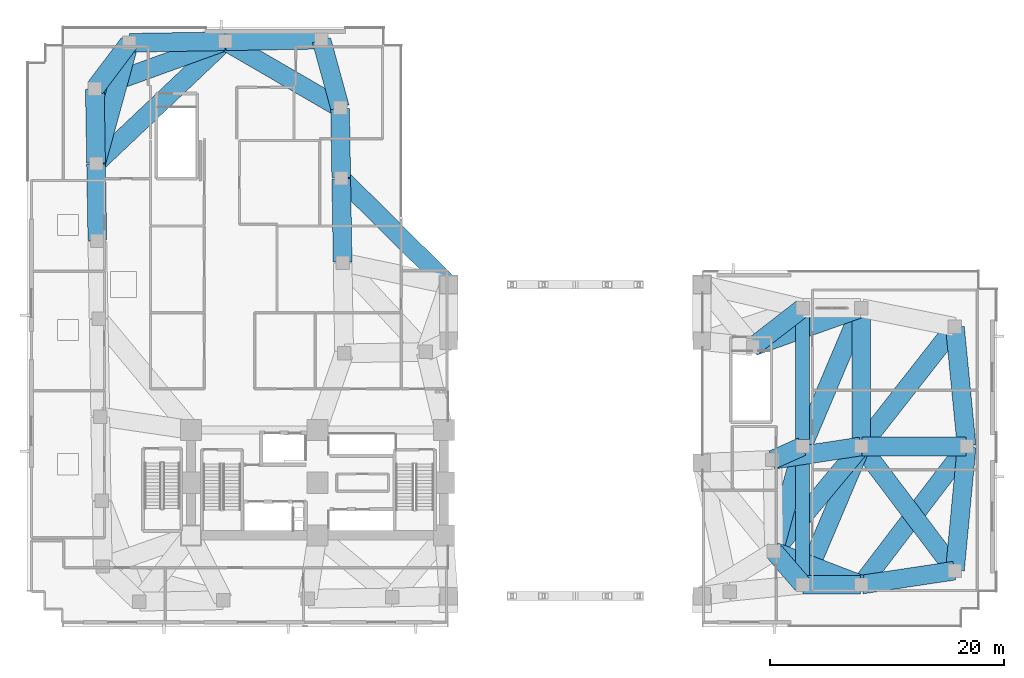
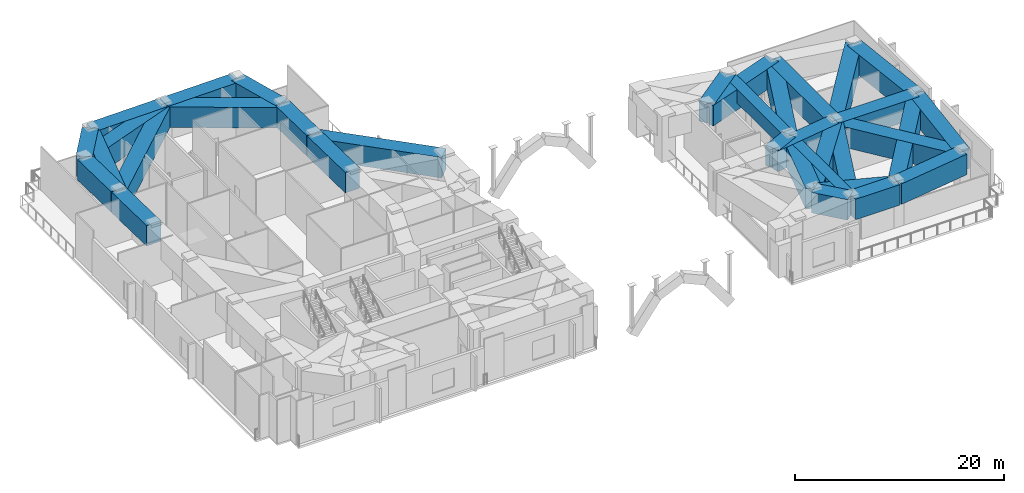
# One storey, part 3 of 15: 34 beams.
"""IFC4 building model written with IfcOpenShell, lengths in metres."""

from ifc_helpers import new_model, si_unit, direction, frame, origin, origin_2d, place, context, subcontext, project, spatial, rectangle, extrude, material, material_profile, profile_set, type_object, element, save


model = new_model("IFC4")

# Units and contexts
model_context = context("Model", 3, precision=1e-05, world=origin(), true_north=direction((0.0, 1.0)))
body_context = subcontext(model_context, "Body", "Model", "MODEL_VIEW")
ifc_project = project(units=[si_unit("LENGTHUNIT", "METRE"), si_unit("AREAUNIT", "SQUARE_METRE"), si_unit("VOLUMEUNIT", "CUBIC_METRE"), si_unit("PLANEANGLEUNIT", "RADIAN"), si_unit("MASSUNIT", "GRAM", prefix="KILO")], contexts=[model_context])

# Site, building, storey
site_placement = place(None, origin())
site = spatial("IfcSite", under=ifc_project, at=site_placement, CompositionType="ELEMENT")
building_placement = place(site_placement, origin())
building = spatial("IfcBuilding", under=site, at=building_placement, Name="Gaonmaruhae Medical Tower", CompositionType="ELEMENT")
storey_placement = place(building_placement, frame((0.0, 0.0, 21.60009765625)))
storey = spatial("IfcBuildingStorey", under=building, at=storey_placement, Name="L04", CompositionType="ELEMENT", Elevation=21.60009765625)

# Beams
ifc_material_1 = material(Name="Concrete C60/75", Category="concrete")
ifc_material_profile_1 = material_profile(ifc_material_1, rectangle(XDim=1.60009765625, YDim=2.39990234375, at=origin_2d()), Name="TG-1600x2400")
ifc_profile_set_1 = profile_set([ifc_material_profile_1], Name="Concrete C60/75")
beam_type_1 = type_object("IfcBeamType", Name="TG-01I Portal Arch Interior Transfer Girder (TG-1600x2400)", PredefinedType="BEAM", material=ifc_profile_set_1)
beam_1_placement = place(storey_placement, frame((63.791015625, 6.409423828125, 3.89990234375), z_axis=(0.650934547186, -0.759133858604, 0.0), x_axis=(0.759133858604, 0.650934547186, 0.0)))
element("IfcBeam", 1, at=beam_1_placement, inside=storey, type_object=beam_type_1, Name="L04 Beam BM-L04-PG025", PredefinedType="BEAM", context=body_context, shape_type="SweptSolid", body=[
    extrude(rectangle(XDim=1.60009765625, YDim=2.39990234375, at=origin_2d()), origin(), (0.0, 0.0, 1.0), 3.65087890625),
])
beam_2_placement = place(storey_placement, frame((63.6748046875, 14.266845703125, 3.89990234375), z_axis=(0.912331175538, 0.409453081735, 0.0), x_axis=(-0.409453081735, 0.912331175538, 0.0)))
element("IfcBeam", 2, at=beam_2_placement, inside=storey, type_object=beam_type_1, Name="L04 Beam BM-L04-PG027", PredefinedType="BEAM", context=body_context, shape_type="SweptSolid", body=[
    extrude(rectangle(XDim=1.60009765625, YDim=2.39990234375, at=origin_2d()), origin(), (0.0, 0.0, 1.0), 2.7177734375),
])
beam_3_placement = place(storey_placement, frame((63.678466796875, 14.25390625, 3.89990234375), z_axis=(0.988587276062, 0.150649253596, 0.0), x_axis=(-0.150649253596, 0.988587276062, 0.0)))
element("IfcBeam", 3, at=beam_3_placement, inside=storey, type_object=beam_type_1, Name="L04 Beam BM-L04-PG028", PredefinedType="BEAM", context=body_context, shape_type="SweptSolid", body=[
    extrude(rectangle(XDim=1.60009765625, YDim=2.39990234375, at=origin_2d()), origin(), (0.0, 0.0, 1.0), 7.558349609375),
])
beam_4_placement = place(storey_placement, frame((62.008056640625, 23.950927734375, 3.89990234375), z_axis=(0.790374549581, 0.612623923279, 0.0), x_axis=(-0.612623923279, 0.790374549581, 0.0)))
element("IfcBeam", 4, at=beam_4_placement, inside=storey, type_object=beam_type_1, Name="L04 Beam BM-L04-PG029", PredefinedType="BEAM", context=body_context, shape_type="SweptSolid", body=[
    extrude(rectangle(XDim=1.60009765625, YDim=2.39990234375, at=origin_2d()), origin(), (0.0, 0.0, 1.0), 5.253662109375),
])
beam_5_placement = place(storey_placement, frame((62.015625, 23.93701171875, 3.89990234375), z_axis=(0.942294313395, 0.334785643275, 0.0), x_axis=(-0.334785643275, 0.942294313395, 0.0)))
element("IfcBeam", 5, at=beam_5_placement, inside=storey, type_object=beam_type_1, Name="L04 Beam BM-L04-PG030", PredefinedType="BEAM", context=body_context, shape_type="SweptSolid", body=[
    extrude(rectangle(XDim=1.60009765625, YDim=2.39990234375, at=origin_2d()), origin(), (0.0, 0.0, 1.0), 9.69677734375),
])
beam_6_placement = place(storey_placement, frame((26.944091796875, 31.140380859375, 3.89990234375), z_axis=(-0.016608204893, 0.999862074253, 0.0), x_axis=(-0.999862074253, -0.016608204893, 0.0)))
element("IfcBeam", 6, at=beam_6_placement, inside=storey, type_object=beam_type_1, Name="L04 Beam BM-L04-PG035", PredefinedType="BEAM", context=body_context, shape_type="SweptSolid", body=[
    extrude(rectangle(XDim=1.60009765625, YDim=2.39990234375, at=origin_2d()), origin(), (0.0, 0.0, 1.0), 7.10009765625),
])
beam_7_placement = place(storey_placement, frame((26.824462890625, 38.339599609375, 3.89990234375), z_axis=(-0.016551967997, 0.999863006794, 0.0), x_axis=(-0.999863006794, -0.016551967997, 0.0)))
element("IfcBeam", 7, at=beam_7_placement, inside=storey, type_object=beam_type_1, Name="L04 Beam BM-L04-PG037", PredefinedType="BEAM", context=body_context, shape_type="SweptSolid", body=[
    extrude(rectangle(XDim=1.60009765625, YDim=2.39990234375, at=origin_2d()), origin(), (0.0, 0.0, 1.0), 5.89990234375),
])
beam_8_placement = place(storey_placement, frame((26.86083984375, 38.25439453125, 3.89990234375), z_axis=(0.710394933366, -0.703803267005, 0.0), x_axis=(0.703803267005, 0.710394933366, 0.0)))
element("IfcBeam", 8, at=beam_8_placement, inside=storey, type_object=beam_type_1, Name="L04 Beam BM-L04-PG038", PredefinedType="BEAM", context=body_context, shape_type="SweptSolid", body=[
    extrude(rectangle(XDim=1.60009765625, YDim=2.39990234375, at=origin_2d()), origin(), (0.0, 0.0, 1.0), 12.815185546875),
])
beam_9_placement = place(storey_placement, frame((26.712646484375, 44.3369140625, 3.89990234375), z_axis=(-0.264400662099, 0.964412924987, 0.0), x_axis=(-0.964412924987, -0.264400662099, 0.0)))
element("IfcBeam", 9, at=beam_9_placement, inside=storey, type_object=beam_type_1, Name="L04 Beam BM-L04-PG039", PredefinedType="BEAM", context=body_context, shape_type="SweptSolid", body=[
    extrude(rectangle(XDim=1.60009765625, YDim=2.39990234375, at=origin_2d()), origin(), (0.0, 0.0, 1.0), 5.939208984375),
])
beam_10_placement = place(storey_placement, frame((26.6826171875, 44.313720703125, 3.89990234375), z_axis=(-0.864761531189, 0.502182729865, 0.0), x_axis=(-0.502182729865, -0.864761531189, 0.0)))
element("IfcBeam", 10, at=beam_10_placement, inside=storey, type_object=beam_type_1, Name="L04 Beam BM-L04-PG040", PredefinedType="BEAM", context=body_context, shape_type="SweptSolid", body=[
    extrude(rectangle(XDim=1.60009765625, YDim=2.39990234375, at=origin_2d()), origin(), (0.0, 0.0, 1.0), 11.227294921875),
])
for number, where, z_axis, x_axis, name in (
    (11, (25.0791015625, 50.112060546875, 3.89990234375), (-0.999863083435, -0.016547337678, 0.0), (0.016547337678, -0.999863083435, 0.0), "L04 Beam BM-L04-PG041"),
    (12, (16.88037109375, 49.976318359375, 3.89990234375), (-0.999862584298, -0.016577470273, 0.0), (0.016577470273, -0.999862584298, 0.0), "L04 Beam BM-L04-PG042"),
):
    element("IfcBeam", number, at=place(storey_placement, frame(where, z_axis=z_axis, x_axis=x_axis)), inside=storey, type_object=beam_type_1, Name=name, PredefinedType="BEAM", context=body_context, shape_type="SweptSolid", body=[
        extrude(rectangle(XDim=1.60009765625, YDim=2.39990234375, at=origin_2d()), origin(), (0.0, 0.0, 1.0), 8.10009765625),
    ])
beam_11_placement = place(storey_placement, frame((16.88330078125, 49.9599609375, 3.89990234375), z_axis=(-0.940171612952, -0.340701244788, 0.0), x_axis=(0.340701244788, -0.940171612952, 0.0)))
element("IfcBeam", 13, at=beam_11_placement, inside=storey, type_object=beam_type_1, Name="L04 Beam BM-L04-PG043", PredefinedType="BEAM", context=body_context, shape_type="SweptSolid", body=[
    extrude(rectangle(XDim=1.60009765625, YDim=2.39990234375, at=origin_2d()), origin(), (0.0, 0.0, 1.0), 11.743408203125),
])
beam_12_placement = place(storey_placement, frame((8.701416015625, 49.80126953125, 3.89990234375), z_axis=(-0.601502313354, -0.798871057824, 0.0), x_axis=(0.798871057824, -0.601502313354, 0.0)))
element("IfcBeam", 14, at=beam_12_placement, inside=storey, type_object=beam_type_1, Name="L04 Beam BM-L04-PG044", PredefinedType="BEAM", context=body_context, shape_type="SweptSolid", body=[
    extrude(rectangle(XDim=1.60009765625, YDim=2.39990234375, at=origin_2d()), origin(), (0.0, 0.0, 1.0), 4.781005859375),
])
beam_13_placement = place(storey_placement, frame((8.71826171875, 49.79296875, 3.89990234375), z_axis=(-0.264954280581, -0.964260975671, 0.0), x_axis=(0.964260975671, -0.264954280581, 0.0)))
element("IfcBeam", 15, at=beam_13_placement, inside=storey, type_object=beam_type_1, Name="L04 Beam BM-L04-PG045", PredefinedType="BEAM", context=body_context, shape_type="SweptSolid", body=[
    extrude(rectangle(XDim=1.60009765625, YDim=2.39990234375, at=origin_2d()), origin(), (0.0, 0.0, 1.0), 10.580078125),
])
beam_14_placement = place(storey_placement, frame((5.79638671875, 45.891845703125, 3.89990234375), z_axis=(0.016586222393, -0.999862439152, 0.0), x_axis=(0.999862439152, 0.016586222393, 0.0)))
element("IfcBeam", 16, at=beam_14_placement, inside=storey, type_object=beam_type_1, Name="L04 Beam BM-L04-PG046", PredefinedType="BEAM", context=body_context, shape_type="SweptSolid", body=[
    extrude(rectangle(XDim=1.60009765625, YDim=2.39990234375, at=origin_2d()), origin(), (0.0, 0.0, 1.0), 6.300048828125),
])
beam_15_placement = place(storey_placement, frame((5.902587890625, 39.492919921875, 3.89990234375), z_axis=(0.016563596449, -0.999862814226, 0.0), x_axis=(0.999862814226, 0.016563596449, 0.0)))
element("IfcBeam", 17, at=beam_15_placement, inside=storey, type_object=beam_type_1, Name="L04 Beam BM-L04-PG047", PredefinedType="BEAM", context=body_context, shape_type="SweptSolid", body=[
    extrude(rectangle(XDim=1.60009765625, YDim=2.39990234375, at=origin_2d()), origin(), (0.0, 0.0, 1.0), 6.500244140625),
])
beam_16_placement = place(storey_placement, frame((5.938232421875, 39.5771484375, 3.89990234375), z_axis=(0.726406385449, 0.687265424111, 0.0), x_axis=(-0.687265424111, 0.726406385449, 0.0)))
element("IfcBeam", 18, at=beam_16_placement, inside=storey, type_object=beam_type_1, Name="L04 Beam BM-L04-PG048", PredefinedType="BEAM", context=body_context, shape_type="SweptSolid", body=[
    extrude(rectangle(XDim=1.60009765625, YDim=2.39990234375, at=origin_2d()), origin(), (0.0, 0.0, 1.0), 15.082275390625),
])
beam_17_placement = place(storey_placement, frame((66.25, 3.60009765625, 3.89990234375), z_axis=(1.0, 0.0, 0.0), x_axis=(0.0, 1.0, 0.0)))
element("IfcBeam", 19, at=beam_17_placement, inside=storey, type_object=beam_type_1, Name="L04 Beam BM-L04-PG058", PredefinedType="BEAM", context=body_context, shape_type="SweptSolid", body=[
    extrude(rectangle(XDim=1.60009765625, YDim=2.39990234375, at=origin_2d()), origin(), (0.0, 0.0, 1.0), 4.89990234375),
])
beam_18_placement = place(storey_placement, frame((66.219482421875, 3.64599609375, 3.89990234375), z_axis=(0.390143516405, 0.920754058697, 0.0), x_axis=(-0.920754058697, 0.390143516405, 0.0)))
element("IfcBeam", 20, at=beam_18_placement, inside=storey, type_object=beam_type_1, Name="L04 Beam BM-L04-PG059", PredefinedType="BEAM", context=body_context, shape_type="SweptSolid", body=[
    extrude(rectangle(XDim=1.60009765625, YDim=2.39990234375, at=origin_2d()), origin(), (0.0, 0.0, 1.0), 12.715576171875),
])
beam_19_placement = place(storey_placement, frame((71.1533203125, 3.617919921875, 3.89990234375), z_axis=(-0.933959250305, 0.357379516438, 0.0), x_axis=(-0.357379516438, -0.933959250305, 0.0)))
element("IfcBeam", 21, at=beam_19_placement, inside=storey, type_object=beam_type_1, Name="L04 Beam BM-L04-PG060", PredefinedType="BEAM", context=body_context, shape_type="SweptSolid", body=[
    extrude(rectangle(XDim=1.60009765625, YDim=2.39990234375, at=origin_2d()), origin(), (0.0, 0.0, 1.0), 7.86767578125),
])
beam_20_placement = place(storey_placement, frame((71.24951171875, 3.607421875, 3.89990234375), z_axis=(0.988938370032, 0.148327004546, 0.0), x_axis=(-0.148327004546, 0.988938370032, 0.0)))
element("IfcBeam", 22, at=beam_20_placement, inside=storey, type_object=beam_type_1, Name="L04 Beam BM-L04-PG061", PredefinedType="BEAM", context=body_context, shape_type="SweptSolid", body=[
    extrude(rectangle(XDim=1.60009765625, YDim=2.39990234375, at=origin_2d()), origin(), (0.0, 0.0, 1.0), 7.989501953125),
])
beam_21_placement = place(storey_placement, frame((66.186767578125, 15.351806640625, 3.89990234375), z_axis=(-0.263119656269, -0.964763207469, 0.0), x_axis=(0.964763207469, -0.263119656269, 0.0)))
element("IfcBeam", 23, at=beam_21_placement, inside=storey, type_object=beam_type_1, Name="L04 Beam BM-L04-PG062", PredefinedType="BEAM", context=body_context, shape_type="SweptSolid", body=[
    extrude(rectangle(XDim=1.60009765625, YDim=2.39990234375, at=origin_2d()), origin(), (0.0, 0.0, 1.0), 9.179443359375),
])
beam_22_placement = place(storey_placement, frame((66.219482421875, 15.446044921875, 3.89990234375), z_axis=(0.390143516405, 0.920754058697, 0.0), x_axis=(-0.920754058697, 0.390143516405, 0.0)))
element("IfcBeam", 24, at=beam_22_placement, inside=storey, type_object=beam_type_1, Name="L04 Beam BM-L04-PG063", PredefinedType="BEAM", context=body_context, shape_type="SweptSolid", body=[
    extrude(rectangle(XDim=1.60009765625, YDim=2.39990234375, at=origin_2d()), origin(), (0.0, 0.0, 1.0), 12.715576171875),
])
beam_23_placement = place(storey_placement, frame((71.25, 15.39990234375, 3.89990234375), z_axis=(1.0, 0.0, 0.0), x_axis=(0.0, 1.0, 0.0)))
element("IfcBeam", 25, at=beam_23_placement, inside=storey, type_object=beam_type_1, Name="L04 Beam BM-L04-PG064", PredefinedType="BEAM", context=body_context, shape_type="SweptSolid", body=[
    extrude(rectangle(XDim=1.60009765625, YDim=2.39990234375, at=origin_2d()), origin(), (0.0, 0.0, 1.0), 8.89990234375),
])
beam_24_placement = place(storey_placement, frame((71.16796875, 15.361572265625, 3.89990234375), z_axis=(-0.639224730156, -0.76901998957, 0.0), x_axis=(0.76901998957, -0.639224730156, 0.0)))
element("IfcBeam", 26, at=beam_24_placement, inside=storey, type_object=beam_type_1, Name="L04 Beam BM-L04-PG065", PredefinedType="BEAM", context=body_context, shape_type="SweptSolid", body=[
    extrude(rectangle(XDim=1.60009765625, YDim=2.39990234375, at=origin_2d()), origin(), (0.0, 0.0, 1.0), 11.54150390625),
])
beam_25_placement = place(storey_placement, frame((71.199951171875, 27.14990234375, 3.89990234375), z_axis=(0.0, -1.0, 0.0), x_axis=(1.0, 0.0, 0.0)))
element("IfcBeam", 27, at=beam_25_placement, inside=storey, type_object=beam_type_1, Name="L04 Beam BM-L04-PG069", PredefinedType="BEAM", context=body_context, shape_type="SweptSolid", body=[
    extrude(rectangle(XDim=1.60009765625, YDim=2.39990234375, at=origin_2d()), origin(), (0.0, 0.0, 1.0), 11.699951171875),
])
beam_26_placement = place(storey_placement, frame((79.20458984375, 4.849853515625, 3.89990234375), z_axis=(0.093932984059, 0.995578522521, 0.0), x_axis=(-0.995578522521, 0.093932984059, 0.0)))
element("IfcBeam", 28, at=beam_26_placement, inside=storey, type_object=beam_type_1, Name="L04 Beam BM-L04-PG070", PredefinedType="BEAM", context=body_context, shape_type="SweptSolid", body=[
    extrude(rectangle(XDim=1.60009765625, YDim=2.39990234375, at=origin_2d()), origin(), (0.0, 0.0, 1.0), 10.547119140625),
])
beam_27_placement = place(storey_placement, frame((79.169921875, 4.83984375, 3.89990234375), z_axis=(-0.602400893863, 0.798193687693, 0.0), x_axis=(-0.798193687693, -0.602400893863, 0.0)))
element("IfcBeam", 29, at=beam_27_placement, inside=storey, type_object=beam_type_1, Name="L04 Beam BM-L04-PG071", PredefinedType="BEAM", context=body_context, shape_type="SweptSolid", body=[
    extrude(rectangle(XDim=1.60009765625, YDim=2.39990234375, at=origin_2d()), origin(), (0.0, 0.0, 1.0), 13.18017578125),
])
beam_28_placement = place(storey_placement, frame((80.195068359375, 15.44970703125, 3.89990234375), z_axis=(-0.097569555279, 0.995228708329, 0.0), x_axis=(-0.995228708329, -0.097569555279, 0.0)))
element("IfcBeam", 30, at=beam_28_placement, inside=storey, type_object=beam_type_1, Name="L04 Beam BM-L04-PG072", PredefinedType="BEAM", context=body_context, shape_type="SweptSolid", body=[
    extrude(rectangle(XDim=1.60009765625, YDim=2.39990234375, at=origin_2d()), origin(), (0.0, 0.0, 1.0), 10.14892578125),
])
beam_29_placement = place(storey_placement, frame((80.169677734375, 15.3603515625, 3.89990234375), z_axis=(-0.606446336319, -0.79512441867, 0.0), x_axis=(0.79512441867, -0.606446336319, 0.0)))
element("IfcBeam", 31, at=beam_29_placement, inside=storey, type_object=beam_type_1, Name="L04 Beam BM-L04-PG073", PredefinedType="BEAM", context=body_context, shape_type="SweptSolid", body=[
    extrude(rectangle(XDim=1.60009765625, YDim=2.39990234375, at=origin_2d()), origin(), (0.0, 0.0, 1.0), 14.74072265625),
])
beam_30_placement = place(storey_placement, frame((79.169189453125, 25.560546875, 3.89990234375), z_axis=(-0.617145695681, -0.786848899282, 0.0), x_axis=(0.786848899282, -0.617145695681, 0.0)))
element("IfcBeam", 32, at=beam_30_placement, inside=storey, type_object=beam_type_1, Name="L04 Beam BM-L04-PG074", PredefinedType="BEAM", context=body_context, shape_type="SweptSolid", body=[
    extrude(rectangle(XDim=1.60009765625, YDim=2.39990234375, at=origin_2d()), origin(), (0.0, 0.0, 1.0), 12.86279296875),
])
ifc_material_2 = material(Name="Concrete C50/60", Category="concrete")
ifc_material_profile_2 = material_profile(ifc_material_2, rectangle(XDim=1.199951171875, YDim=1.60009765625, at=origin_2d()), Name="TG-1200x1600")
ifc_profile_set_2 = profile_set([ifc_material_profile_2], Name="Concrete C50/60")
beam_type_2 = type_object("IfcBeamType", Name="TG-02 Setback Transfer Girder (TG-1200x1600)", PredefinedType="BEAM", material=ifc_profile_set_2)
for number, where, z_axis, x_axis, name in (
    (33, (66.199951171875, 4.199951171875, 4.2998046875), (0.0, 1.0, 0.0), (-1.0, 0.0, 0.0), "L04 Beam BM-L04-TG2-1"),
    (34, (66.199951171875, 16.0, 4.2998046875), (0.0, 1.0, 0.0), (-1.0, 0.0, 0.0), "L04 Beam BM-L04-TG2-2"),
):
    element("IfcBeam", number, at=place(storey_placement, frame(where, z_axis=z_axis, x_axis=x_axis)), inside=storey, type_object=beam_type_2, Name=name, PredefinedType="BEAM", context=body_context, shape_type="SweptSolid", body=[
        extrude(rectangle(XDim=1.199951171875, YDim=1.60009765625, at=origin_2d()), origin(), (0.0, 0.0, 1.0), 10.60009765625),
    ])

save(model, "model.ifc")
